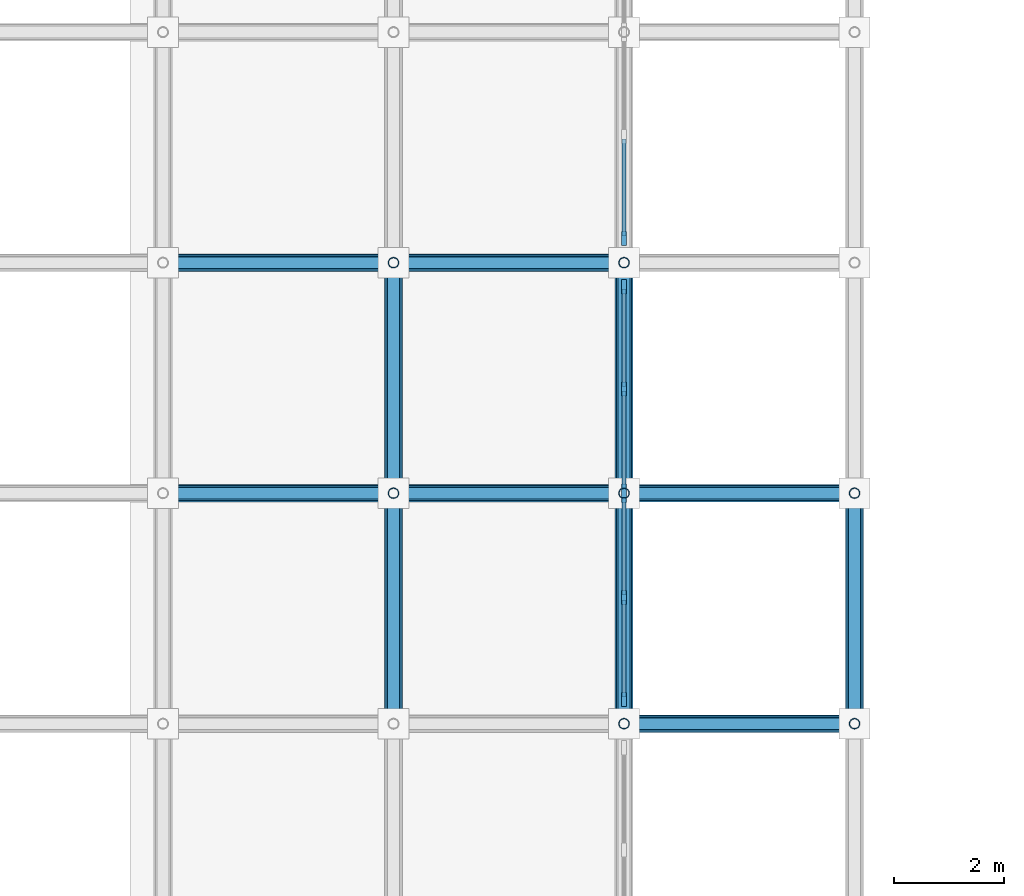
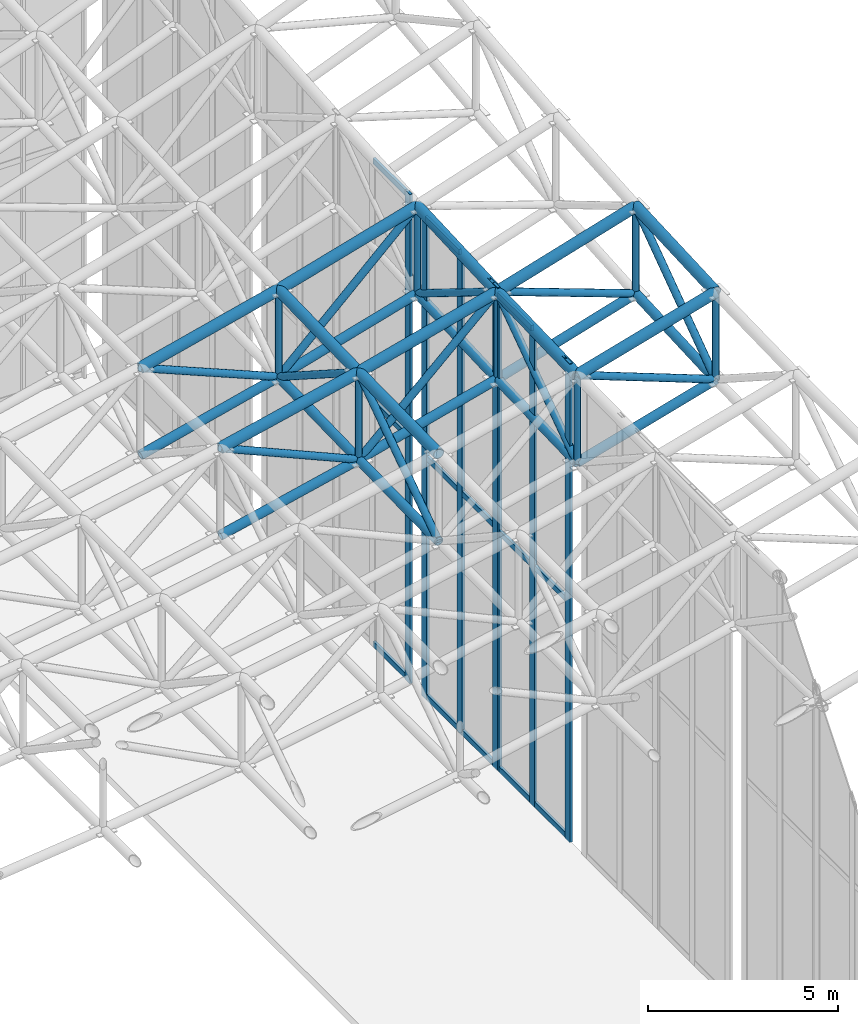
# One storey, part 43 of 93: 62 members, 3 elements without a shape of their own.
"""IFC4 building model written with IfcOpenShell, lengths in metres."""

from ifc_helpers import new_model, si_unit, direction, frame, origin, origin_2d, place, context, subcontext, project, spatial, rectangle, hollow_circle, extrude, material, material_profile, profile_set, type_object, element, aggregate, save


model = new_model("IFC4")

# Units and contexts
model_context = context("Model", 3, precision=1e-05, world=origin(), true_north=direction((0.0, 1.0)))
body_context = subcontext(model_context, "Body", "Model", "MODEL_VIEW")
ifc_project = project(units=[si_unit("LENGTHUNIT", "METRE"), si_unit("AREAUNIT", "SQUARE_METRE"), si_unit("VOLUMEUNIT", "CUBIC_METRE"), si_unit("PLANEANGLEUNIT", "RADIAN"), si_unit("MASSUNIT", "GRAM", prefix="KILO")], contexts=[model_context])

# Site, building, storey
site_placement = place(None, origin())
site = spatial("IfcSite", under=ifc_project, at=site_placement, CompositionType="ELEMENT")
building_placement = place(site_placement, origin())
building = spatial("IfcBuilding", under=site, at=building_placement, Name="Cumbredor Promenade Congress Hotel", CompositionType="ELEMENT")
storey_placement = place(building_placement, frame((0.0, 0.0, 21.840087890625)))
storey = spatial("IfcBuildingStorey", under=building, at=storey_placement, Name="L06", CompositionType="ELEMENT", Elevation=21.840087890625)

# Curtain wall, members
ifc_material_1 = material(Name="Thermally broken anodized aluminium and low-E glass", Category="aluminium")
curtain_wall_type = type_object("IfcCurtainWallType", Name="Stepped Pavilion Clerestory Curtain Wall CW-06", PredefinedType="NOTDEFINED", material=ifc_material_1)
curtain_wall_1_placement = place(storey_placement, origin())
curtain_wall_1 = element("IfcCurtainWall", 1, at=curtain_wall_1_placement, inside=storey, type_object=curtain_wall_type, Name="Plenary Congress Hall E Glazed Clerestory 9", PredefinedType="NOTDEFINED")
ifc_material_2 = material(Name="Thermally broken anodized aluminium", Category="aluminium")
ifc_material_profile_1 = material_profile(ifc_material_2, rectangle(XDim=0.0849609375, YDim=0.260009765625, at=origin_2d()), Name="ALU MULLION CLERESTORY 85x260")
ifc_profile_set_1 = profile_set([ifc_material_profile_1], Name="Thermally broken anodized aluminium")
member_type_1 = type_object("IfcMemberType", Name="Curtain Wall Mullion ML-04", PredefinedType="MULLION", material=ifc_profile_set_1)
member_1_placement = place(storey_placement, frame((67.199951171875, 42.43994140625, -0.01806640625), z_axis=(0.0, 0.0, 1.0), x_axis=(1.0, 0.0, 0.0)))
member_1 = element("IfcMember", 2, at=member_1_placement, type_object=member_type_1, Name="Plenary Congress Hall E Glazed Clerestory 9 Mullion 1", PredefinedType="MULLION", context=body_context, shape_type="SweptSolid", body=[
    extrude(rectangle(XDim=0.0849609375, YDim=0.260009765625, at=origin_2d()), origin(), (0.0, 0.0, 1.0), 15.355712890625),
])
member_2_placement = place(storey_placement, frame((67.199951171875, 44.300048828125, -0.01806640625), z_axis=(0.0, 0.0, 1.0), x_axis=(1.0, 0.0, 0.0)))
member_2 = element("IfcMember", 3, at=member_2_placement, type_object=member_type_1, Name="Plenary Congress Hall E Glazed Clerestory 9 Mullion 2", PredefinedType="MULLION", context=body_context, shape_type="SweptSolid", body=[
    extrude(rectangle(XDim=0.0849609375, YDim=0.260009765625, at=origin_2d()), origin(), (0.0, 0.0, 1.0), 15.355712890625),
])
member_3_placement = place(storey_placement, frame((67.199951171875, 46.159912109375, -0.01806640625), z_axis=(0.0, 0.0, 1.0), x_axis=(1.0, 0.0, 0.0)))
member_3 = element("IfcMember", 4, at=member_3_placement, type_object=member_type_1, Name="Plenary Congress Hall E Glazed Clerestory 9 Mullion 3", PredefinedType="MULLION", context=body_context, shape_type="SweptSolid", body=[
    extrude(rectangle(XDim=0.0849609375, YDim=0.260009765625, at=origin_2d()), origin(), (0.0, 0.0, 1.0), 15.355712890625),
])

curtain_wall_2_placement = place(storey_placement, origin())
curtain_wall_2 = element("IfcCurtainWall", 5, at=curtain_wall_2_placement, inside=storey, type_object=curtain_wall_type, Name="Plenary Congress Hall E Glazed Clerestory 10", PredefinedType="NOTDEFINED")
member_4_placement = place(storey_placement, frame((67.199951171875, 46.239990234375, -0.01806640625), z_axis=(0.0, 0.0, 1.0), x_axis=(1.0, 0.0, 0.0)))
member_4 = element("IfcMember", 6, at=member_4_placement, type_object=member_type_1, Name="Plenary Congress Hall E Glazed Clerestory 10 Mullion 1", PredefinedType="MULLION", context=body_context, shape_type="SweptSolid", body=[
    extrude(rectangle(XDim=0.0849609375, YDim=0.260009765625, at=origin_2d()), origin(), (0.0, 0.0, 1.0), 15.48779296875),
])
member_5_placement = place(storey_placement, frame((67.199951171875, 48.10009765625, -0.01806640625), z_axis=(0.0, 0.0, 1.0), x_axis=(1.0, 0.0, 0.0)))
member_5 = element("IfcMember", 7, at=member_5_placement, type_object=member_type_1, Name="Plenary Congress Hall E Glazed Clerestory 10 Mullion 2", PredefinedType="MULLION", context=body_context, shape_type="SweptSolid", body=[
    extrude(rectangle(XDim=0.0849609375, YDim=0.260009765625, at=origin_2d()), origin(), (0.0, 0.0, 1.0), 15.48779296875),
])
member_6_placement = place(storey_placement, frame((67.199951171875, 49.9599609375, -0.01806640625), z_axis=(0.0, 0.0, 1.0), x_axis=(1.0, 0.0, 0.0)))
member_6 = element("IfcMember", 8, at=member_6_placement, type_object=member_type_1, Name="Plenary Congress Hall E Glazed Clerestory 10 Mullion 3", PredefinedType="MULLION", context=body_context, shape_type="SweptSolid", body=[
    extrude(rectangle(XDim=0.0849609375, YDim=0.260009765625, at=origin_2d()), origin(), (0.0, 0.0, 1.0), 15.48779296875),
])

# Curtain wall, member
curtain_wall_3_placement = place(storey_placement, origin())
curtain_wall_3 = element("IfcCurtainWall", 9, at=curtain_wall_3_placement, inside=storey, type_object=curtain_wall_type, Name="Plenary Congress Hall E Glazed Clerestory 11", PredefinedType="NOTDEFINED")
member_7_placement = place(storey_placement, frame((67.199951171875, 50.840087890625, -0.01806640625), z_axis=(0.0, 0.0, 1.0), x_axis=(1.0, 0.0, 0.0)))
member_7 = element("IfcMember", 10, at=member_7_placement, type_object=member_type_1, Name="Plenary Congress Hall E Glazed Clerestory 11 Mullion 1", PredefinedType="MULLION", context=body_context, shape_type="SweptSolid", body=[
    extrude(rectangle(XDim=0.0849609375, YDim=0.260009765625, at=origin_2d()), origin(), (0.0, 0.0, 1.0), 15.685791015625),
])

# Member
ifc_material_profile_2 = material_profile(ifc_material_2, rectangle(XDim=0.080078125, YDim=0.179931640625, at=origin_2d()), Name="ALU TRANSOM 80x180")
ifc_profile_set_2 = profile_set([ifc_material_profile_2], Name="Thermally broken anodized aluminium")
member_type_2 = type_object("IfcMemberType", Name="Curtain Wall Transom TR-03", PredefinedType="USERDEFINED", material=ifc_profile_set_2)
member_8_placement = place(storey_placement, frame((67.199951171875, 42.482421875, 0.079833984375), z_axis=(0.0, 1.0, 0.0), x_axis=(-1.0, 0.0, 0.0)))
member_8 = element("IfcMember", 11, at=member_8_placement, type_object=member_type_2, Name="Plenary Congress Hall E Glazed Clerestory 9 Transom 1.1", ObjectType="TRANSOM", PredefinedType="USERDEFINED", context=body_context, shape_type="SweptSolid", body=[
    extrude(rectangle(XDim=0.080078125, YDim=0.179931640625, at=origin_2d()), origin(), (0.0, 0.0, 1.0), 1.775146484375),
])

member_9_placement = place(storey_placement, frame((67.199951171875, 42.482421875, 7.659912109375), z_axis=(0.0, 1.0, 0.0), x_axis=(-1.0, 0.0, 0.0)))
member_9 = element("IfcMember", 12, at=member_9_placement, type_object=member_type_2, Name="Plenary Congress Hall E Glazed Clerestory 9 Transom 1.2", ObjectType="TRANSOM", PredefinedType="USERDEFINED", context=body_context, shape_type="SweptSolid", body=[
    extrude(rectangle(XDim=0.080078125, YDim=0.179931640625, at=origin_2d()), origin(), (0.0, 0.0, 1.0), 1.775146484375),
])

member_10_placement = place(storey_placement, frame((67.199951171875, 42.482421875, 15.239990234375), z_axis=(0.0, 1.0, 0.0), x_axis=(-1.0, 0.0, 0.0)))
member_10 = element("IfcMember", 13, at=member_10_placement, type_object=member_type_2, Name="Plenary Congress Hall E Glazed Clerestory 9 Transom 1.3", ObjectType="TRANSOM", PredefinedType="USERDEFINED", context=body_context, shape_type="SweptSolid", body=[
    extrude(rectangle(XDim=0.080078125, YDim=0.179931640625, at=origin_2d()), origin(), (0.0, 0.0, 1.0), 1.775146484375),
])

member_11_placement = place(storey_placement, frame((67.199951171875, 44.342529296875, 0.079833984375), z_axis=(0.0, 1.0, 0.0), x_axis=(-1.0, 0.0, 0.0)))
member_11 = element("IfcMember", 14, at=member_11_placement, type_object=member_type_2, Name="Plenary Congress Hall E Glazed Clerestory 9 Transom 2.1", ObjectType="TRANSOM", PredefinedType="USERDEFINED", context=body_context, shape_type="SweptSolid", body=[
    extrude(rectangle(XDim=0.080078125, YDim=0.179931640625, at=origin_2d()), origin(), (0.0, 0.0, 1.0), 1.77490234375),
])

member_12_placement = place(storey_placement, frame((67.199951171875, 44.342529296875, 7.659912109375), z_axis=(0.0, 1.0, 0.0), x_axis=(-1.0, 0.0, 0.0)))
member_12 = element("IfcMember", 15, at=member_12_placement, type_object=member_type_2, Name="Plenary Congress Hall E Glazed Clerestory 9 Transom 2.2", ObjectType="TRANSOM", PredefinedType="USERDEFINED", context=body_context, shape_type="SweptSolid", body=[
    extrude(rectangle(XDim=0.080078125, YDim=0.179931640625, at=origin_2d()), origin(), (0.0, 0.0, 1.0), 1.77490234375),
])

member_13_placement = place(storey_placement, frame((67.199951171875, 44.342529296875, 15.239990234375), z_axis=(0.0, 1.0, 0.0), x_axis=(-1.0, 0.0, 0.0)))
member_13 = element("IfcMember", 16, at=member_13_placement, type_object=member_type_2, Name="Plenary Congress Hall E Glazed Clerestory 9 Transom 2.3", ObjectType="TRANSOM", PredefinedType="USERDEFINED", context=body_context, shape_type="SweptSolid", body=[
    extrude(rectangle(XDim=0.080078125, YDim=0.179931640625, at=origin_2d()), origin(), (0.0, 0.0, 1.0), 1.77490234375),
])

aggregate(curtain_wall_1, [member_1, member_2, member_3, member_8, member_9, member_10, member_11, member_12, member_13])

member_14_placement = place(storey_placement, frame((67.199951171875, 46.282470703125, 0.079833984375), z_axis=(0.0, 1.0, 0.0), x_axis=(-1.0, 0.0, 0.0)))
member_14 = element("IfcMember", 17, at=member_14_placement, type_object=member_type_2, Name="Plenary Congress Hall E Glazed Clerestory 10 Transom 1.1", ObjectType="TRANSOM", PredefinedType="USERDEFINED", context=body_context, shape_type="SweptSolid", body=[
    extrude(rectangle(XDim=0.080078125, YDim=0.179931640625, at=origin_2d()), origin(), (0.0, 0.0, 1.0), 1.775146484375),
])

member_15_placement = place(storey_placement, frame((67.199951171875, 46.282470703125, 7.72998046875), z_axis=(0.0, 1.0, 0.0), x_axis=(-1.0, 0.0, 0.0)))
member_15 = element("IfcMember", 18, at=member_15_placement, type_object=member_type_2, Name="Plenary Congress Hall E Glazed Clerestory 10 Transom 1.2", ObjectType="TRANSOM", PredefinedType="USERDEFINED", context=body_context, shape_type="SweptSolid", body=[
    extrude(rectangle(XDim=0.080078125, YDim=0.179931640625, at=origin_2d()), origin(), (0.0, 0.0, 1.0), 1.775146484375),
])

member_16_placement = place(storey_placement, frame((67.199951171875, 46.282470703125, 15.369873046875), z_axis=(0.0, 1.0, 0.0), x_axis=(-1.0, 0.0, 0.0)))
member_16 = element("IfcMember", 19, at=member_16_placement, type_object=member_type_2, Name="Plenary Congress Hall E Glazed Clerestory 10 Transom 1.3", ObjectType="TRANSOM", PredefinedType="USERDEFINED", context=body_context, shape_type="SweptSolid", body=[
    extrude(rectangle(XDim=0.080078125, YDim=0.179931640625, at=origin_2d()), origin(), (0.0, 0.0, 1.0), 1.775146484375),
])

member_17_placement = place(storey_placement, frame((67.199951171875, 48.142578125, 0.079833984375), z_axis=(0.0, 1.0, 0.0), x_axis=(-1.0, 0.0, 0.0)))
member_17 = element("IfcMember", 20, at=member_17_placement, type_object=member_type_2, Name="Plenary Congress Hall E Glazed Clerestory 10 Transom 2.1", ObjectType="TRANSOM", PredefinedType="USERDEFINED", context=body_context, shape_type="SweptSolid", body=[
    extrude(rectangle(XDim=0.080078125, YDim=0.179931640625, at=origin_2d()), origin(), (0.0, 0.0, 1.0), 1.77490234375),
])

member_18_placement = place(storey_placement, frame((67.199951171875, 48.142578125, 7.72998046875), z_axis=(0.0, 1.0, 0.0), x_axis=(-1.0, 0.0, 0.0)))
member_18 = element("IfcMember", 21, at=member_18_placement, type_object=member_type_2, Name="Plenary Congress Hall E Glazed Clerestory 10 Transom 2.2", ObjectType="TRANSOM", PredefinedType="USERDEFINED", context=body_context, shape_type="SweptSolid", body=[
    extrude(rectangle(XDim=0.080078125, YDim=0.179931640625, at=origin_2d()), origin(), (0.0, 0.0, 1.0), 1.77490234375),
])

member_19_placement = place(storey_placement, frame((67.199951171875, 48.142578125, 15.369873046875), z_axis=(0.0, 1.0, 0.0), x_axis=(-1.0, 0.0, 0.0)))
member_19 = element("IfcMember", 22, at=member_19_placement, type_object=member_type_2, Name="Plenary Congress Hall E Glazed Clerestory 10 Transom 2.3", ObjectType="TRANSOM", PredefinedType="USERDEFINED", context=body_context, shape_type="SweptSolid", body=[
    extrude(rectangle(XDim=0.080078125, YDim=0.179931640625, at=origin_2d()), origin(), (0.0, 0.0, 1.0), 1.77490234375),
])

aggregate(curtain_wall_2, [member_4, member_5, member_6, member_14, member_15, member_16, member_17, member_18, member_19])

member_20_placement = place(storey_placement, frame((67.199951171875, 50.882568359375, 0.079833984375), z_axis=(0.0, 1.0, 0.0), x_axis=(-1.0, 0.0, 0.0)))
member_20 = element("IfcMember", 23, at=member_20_placement, type_object=member_type_2, Name="Plenary Congress Hall E Glazed Clerestory 11 Transom 1.1", ObjectType="TRANSOM", PredefinedType="USERDEFINED", context=body_context, shape_type="SweptSolid", body=[
    extrude(rectangle(XDim=0.080078125, YDim=0.179931640625, at=origin_2d()), origin(), (0.0, 0.0, 1.0), 1.77490234375),
])

member_21_placement = place(storey_placement, frame((67.199951171875, 50.882568359375, 7.81982421875), z_axis=(0.0, 1.0, 0.0), x_axis=(-1.0, 0.0, 0.0)))
member_21 = element("IfcMember", 24, at=member_21_placement, type_object=member_type_2, Name="Plenary Congress Hall E Glazed Clerestory 11 Transom 1.2", ObjectType="TRANSOM", PredefinedType="USERDEFINED", context=body_context, shape_type="SweptSolid", body=[
    extrude(rectangle(XDim=0.080078125, YDim=0.179931640625, at=origin_2d()), origin(), (0.0, 0.0, 1.0), 1.77490234375),
])

member_22_placement = place(storey_placement, frame((67.199951171875, 50.882568359375, 15.56982421875), z_axis=(0.0, 1.0, 0.0), x_axis=(-1.0, 0.0, 0.0)))
member_22 = element("IfcMember", 25, at=member_22_placement, type_object=member_type_2, Name="Plenary Congress Hall E Glazed Clerestory 11 Transom 1.3", ObjectType="TRANSOM", PredefinedType="USERDEFINED", context=body_context, shape_type="SweptSolid", body=[
    extrude(rectangle(XDim=0.080078125, YDim=0.179931640625, at=origin_2d()), origin(), (0.0, 0.0, 1.0), 1.77490234375),
])

aggregate(curtain_wall_3, [member_7, member_20, member_21, member_22])

# Members
ifc_material_3 = material(Name="Steel ASTM A500 Grade C", Category="steel")
ifc_material_profile_3 = material_profile(ifc_material_3, hollow_circle(Radius=0.136474609375, WallThickness=0.01611328125, at=origin_2d()), Name="CHS 273.0x16")
ifc_profile_set_3 = profile_set([ifc_material_profile_3], Name="Steel ASTM A500 Grade C")
member_type_3 = type_object("IfcMemberType", Name="Plenary Roof Space Frame Bottom Chord", PredefinedType="CHORD", material=ifc_profile_set_3)
member_23_placement = place(storey_placement, frame((67.199951171875, 42.0, 12.349609375), z_axis=(0.961806149234, 0.0, 0.273731494893), x_axis=(0.0, 1.0, 0.0)))
element("IfcMember", 26, at=member_23_placement, inside=storey, type_object=member_type_3, Name="Plenary Congress Hall X Bottom Chord 18.11", PredefinedType="CHORD", context=body_context, shape_type="SweptSolid", body=[
    extrude(hollow_circle(Radius=0.136474609375, WallThickness=0.01611328125, at=origin_2d()), origin(), (0.0, 0.0, 1.0), 4.36669921875),
])
member_24_placement = place(storey_placement, frame((58.800048828125, 46.199951171875, 10.40380859375), z_axis=(0.974613195846, 0.0, 0.223895329302), x_axis=(0.0, 1.0, 0.0)))
element("IfcMember", 27, at=member_24_placement, inside=storey, type_object=member_type_3, Name="Plenary Congress Hall X Bottom Chord 16.12", PredefinedType="CHORD", context=body_context, shape_type="SweptSolid", body=[
    extrude(hollow_circle(Radius=0.136474609375, WallThickness=0.01611328125, at=origin_2d()), origin(), (0.0, 0.0, 1.0), 4.309326171875),
])
member_25_placement = place(storey_placement, frame((63.0, 46.199951171875, 11.36865234375), z_axis=(0.966632009947, 0.0, 0.256169001532), x_axis=(0.0, 1.0, 0.0)))
element("IfcMember", 28, at=member_25_placement, inside=storey, type_object=member_type_3, Name="Plenary Congress Hall X Bottom Chord 17.12", PredefinedType="CHORD", context=body_context, shape_type="SweptSolid", body=[
    extrude(hollow_circle(Radius=0.136474609375, WallThickness=0.01611328125, at=origin_2d()), origin(), (0.0, 0.0, 1.0), 4.344970703125),
])
member_26_placement = place(storey_placement, frame((67.199951171875, 46.199951171875, 12.481689453125), z_axis=(0.957410180843, 0.0, 0.288731268861), x_axis=(0.0, 1.0, 0.0)))
element("IfcMember", 29, at=member_26_placement, inside=storey, type_object=member_type_3, Name="Plenary Congress Hall X Bottom Chord 18.12", PredefinedType="CHORD", context=body_context, shape_type="SweptSolid", body=[
    extrude(hollow_circle(Radius=0.136474609375, WallThickness=0.01611328125, at=origin_2d()), origin(), (0.0, 0.0, 1.0), 4.38671875),
])
member_27_placement = place(storey_placement, frame((58.800048828125, 50.39990234375, 10.427978515625), z_axis=(0.970390849303, 0.0, 0.241540057938), x_axis=(0.0, 1.0, 0.0)))
element("IfcMember", 30, at=member_27_placement, inside=storey, type_object=member_type_3, Name="Plenary Congress Hall X Bottom Chord 16.13", PredefinedType="CHORD", context=body_context, shape_type="SweptSolid", body=[
    extrude(hollow_circle(Radius=0.136474609375, WallThickness=0.01611328125, at=origin_2d()), origin(), (0.0, 0.0, 1.0), 4.328125),
])
member_28_placement = place(storey_placement, frame((63.0, 50.39990234375, 11.473388671875), z_axis=(0.961141413471, 0.0, 0.276056485727), x_axis=(0.0, 1.0, 0.0)))
element("IfcMember", 31, at=member_28_placement, inside=storey, type_object=member_type_3, Name="Plenary Congress Hall X Bottom Chord 17.13", PredefinedType="CHORD", context=body_context, shape_type="SweptSolid", body=[
    extrude(hollow_circle(Radius=0.136474609375, WallThickness=0.01611328125, at=origin_2d()), origin(), (0.0, 0.0, 1.0), 4.369873046875),
])
member_29_placement = place(storey_placement, frame((63.0, 42.0, 11.298583984375), z_axis=(0.0, 0.999860865519, 0.016680815463), x_axis=(-1.0, 0.0, 0.0)))
element("IfcMember", 32, at=member_29_placement, inside=storey, type_object=member_type_3, Name="Plenary Congress Hall Y Bottom Chord 17.11", PredefinedType="CHORD", context=body_context, shape_type="SweptSolid", body=[
    extrude(hollow_circle(Radius=0.136474609375, WallThickness=0.01611328125, at=origin_2d()), origin(), (0.0, 0.0, 1.0), 4.200439453125),
])
member_30_placement = place(storey_placement, frame((63.0, 46.199951171875, 11.36865234375), z_axis=(0.0, 0.999689205225, 0.024929760451), x_axis=(-1.0, 0.0, 0.0)))
element("IfcMember", 33, at=member_30_placement, inside=storey, type_object=member_type_3, Name="Plenary Congress Hall Y Bottom Chord 17.12", PredefinedType="CHORD", context=body_context, shape_type="SweptSolid", body=[
    extrude(hollow_circle(Radius=0.136474609375, WallThickness=0.01611328125, at=origin_2d()), origin(), (0.0, 0.0, 1.0), 4.201171875),
])
member_31_placement = place(storey_placement, frame((67.199951171875, 42.0, 12.349609375), z_axis=(0.0, 0.999505878022, 0.031432464106), x_axis=(-1.0, 0.0, 0.0)))
element("IfcMember", 34, at=member_31_placement, inside=storey, type_object=member_type_3, Name="Plenary Congress Hall Y Bottom Chord 18.11", PredefinedType="CHORD", context=body_context, shape_type="SweptSolid", body=[
    extrude(hollow_circle(Radius=0.136474609375, WallThickness=0.01611328125, at=origin_2d()), origin(), (0.0, 0.0, 1.0), 4.2021484375),
])
member_32_placement = place(storey_placement, frame((67.199951171875, 46.199951171875, 12.481689453125), z_axis=(0.0, 0.998890620414, 0.047090640769), x_axis=(-1.0, 0.0, 0.0)))
element("IfcMember", 35, at=member_32_placement, inside=storey, type_object=member_type_3, Name="Plenary Congress Hall Y Bottom Chord 18.12", PredefinedType="CHORD", context=body_context, shape_type="SweptSolid", body=[
    extrude(hollow_circle(Radius=0.136474609375, WallThickness=0.01611328125, at=origin_2d()), origin(), (0.0, 0.0, 1.0), 4.20458984375),
])
member_33_placement = place(storey_placement, frame((71.39990234375, 42.0, 13.544921875), z_axis=(0.0, 0.99882972281, 0.048365119985), x_axis=(-1.0, 0.0, 0.0)))
element("IfcMember", 36, at=member_33_placement, inside=storey, type_object=member_type_3, Name="Plenary Congress Hall Y Bottom Chord 19.11", PredefinedType="CHORD", context=body_context, shape_type="SweptSolid", body=[
    extrude(hollow_circle(Radius=0.136474609375, WallThickness=0.01611328125, at=origin_2d()), origin(), (0.0, 0.0, 1.0), 4.204833984375),
])
ifc_material_profile_4 = material_profile(ifc_material_3, hollow_circle(Radius=0.161865234375, WallThickness=0.01611328125, at=origin_2d()), Name="CHS 323.9x16")
ifc_profile_set_4 = profile_set([ifc_material_profile_4], Name="Steel ASTM A500 Grade C")
member_type_4 = type_object("IfcMemberType", Name="Plenary Roof Space Frame Top Chord", PredefinedType="CHORD", material=ifc_profile_set_4)
member_34_placement = place(storey_placement, frame((67.199951171875, 42.0, 15.149658203125), z_axis=(0.961806149234, 0.0, 0.273731494893), x_axis=(0.0, 1.0, 0.0)))
element("IfcMember", 37, at=member_34_placement, inside=storey, type_object=member_type_4, Name="Plenary Congress Hall X Top Chord 18.11", PredefinedType="CHORD", context=body_context, shape_type="SweptSolid", body=[
    extrude(hollow_circle(Radius=0.161865234375, WallThickness=0.01611328125, at=origin_2d()), origin(), (0.0, 0.0, 1.0), 4.36669921875),
])
member_35_placement = place(storey_placement, frame((58.800048828125, 46.199951171875, 13.20361328125), z_axis=(0.974600832042, 0.0, 0.223949141956), x_axis=(0.0, 1.0, 0.0)))
element("IfcMember", 38, at=member_35_placement, inside=storey, type_object=member_type_4, Name="Plenary Congress Hall X Top Chord 16.12", PredefinedType="CHORD", context=body_context, shape_type="SweptSolid", body=[
    extrude(hollow_circle(Radius=0.161865234375, WallThickness=0.01611328125, at=origin_2d()), origin(), (0.0, 0.0, 1.0), 4.309326171875),
])
member_36_placement = place(storey_placement, frame((63.0, 46.199951171875, 14.168701171875), z_axis=(0.966645922489, 0.0, 0.256116497977), x_axis=(0.0, 1.0, 0.0)))
element("IfcMember", 39, at=member_36_placement, inside=storey, type_object=member_type_4, Name="Plenary Congress Hall X Top Chord 17.12", PredefinedType="CHORD", context=body_context, shape_type="SweptSolid", body=[
    extrude(hollow_circle(Radius=0.161865234375, WallThickness=0.01611328125, at=origin_2d()), origin(), (0.0, 0.0, 1.0), 4.344970703125),
])
member_37_placement = place(storey_placement, frame((67.199951171875, 46.199951171875, 15.281494140625), z_axis=(0.957394795149, 0.0, 0.288782281697), x_axis=(0.0, 1.0, 0.0)))
element("IfcMember", 40, at=member_37_placement, inside=storey, type_object=member_type_4, Name="Plenary Congress Hall X Top Chord 18.12", PredefinedType="CHORD", context=body_context, shape_type="SweptSolid", body=[
    extrude(hollow_circle(Radius=0.161865234375, WallThickness=0.01611328125, at=origin_2d()), origin(), (0.0, 0.0, 1.0), 4.386962890625),
])
member_38_placement = place(storey_placement, frame((58.800048828125, 50.39990234375, 13.22802734375), z_axis=(0.970390849303, 0.0, 0.241540057938), x_axis=(0.0, 1.0, 0.0)))
element("IfcMember", 41, at=member_38_placement, inside=storey, type_object=member_type_4, Name="Plenary Congress Hall X Top Chord 16.13", PredefinedType="CHORD", context=body_context, shape_type="SweptSolid", body=[
    extrude(hollow_circle(Radius=0.161865234375, WallThickness=0.01611328125, at=origin_2d()), origin(), (0.0, 0.0, 1.0), 4.328125),
])
member_39_placement = place(storey_placement, frame((63.0, 50.39990234375, 14.2734375), z_axis=(0.961156236414, 0.0, 0.276004871702), x_axis=(0.0, 1.0, 0.0)))
element("IfcMember", 42, at=member_39_placement, inside=storey, type_object=member_type_4, Name="Plenary Congress Hall X Top Chord 17.13", PredefinedType="CHORD", context=body_context, shape_type="SweptSolid", body=[
    extrude(hollow_circle(Radius=0.161865234375, WallThickness=0.01611328125, at=origin_2d()), origin(), (0.0, 0.0, 1.0), 4.36962890625),
])
member_40_placement = place(storey_placement, frame((63.0, 42.0, 14.0986328125), z_axis=(0.0, 0.999860865519, 0.016680815463), x_axis=(-1.0, 0.0, 0.0)))
element("IfcMember", 43, at=member_40_placement, inside=storey, type_object=member_type_4, Name="Plenary Congress Hall Y Top Chord 17.11", PredefinedType="CHORD", context=body_context, shape_type="SweptSolid", body=[
    extrude(hollow_circle(Radius=0.161865234375, WallThickness=0.01611328125, at=origin_2d()), origin(), (0.0, 0.0, 1.0), 4.200439453125),
])
member_41_placement = place(storey_placement, frame((63.0, 46.199951171875, 14.168701171875), z_axis=(0.0, 0.999689205225, 0.024929760451), x_axis=(-1.0, 0.0, 0.0)))
element("IfcMember", 44, at=member_41_placement, inside=storey, type_object=member_type_4, Name="Plenary Congress Hall Y Top Chord 17.12", PredefinedType="CHORD", context=body_context, shape_type="SweptSolid", body=[
    extrude(hollow_circle(Radius=0.161865234375, WallThickness=0.01611328125, at=origin_2d()), origin(), (0.0, 0.0, 1.0), 4.201171875),
])
member_42_placement = place(storey_placement, frame((67.199951171875, 42.0, 15.149658203125), z_axis=(0.0, 0.999507701685, 0.031374420677), x_axis=(-1.0, 0.0, 0.0)))
element("IfcMember", 45, at=member_42_placement, inside=storey, type_object=member_type_4, Name="Plenary Congress Hall Y Top Chord 18.11", PredefinedType="CHORD", context=body_context, shape_type="SweptSolid", body=[
    extrude(hollow_circle(Radius=0.161865234375, WallThickness=0.01611328125, at=origin_2d()), origin(), (0.0, 0.0, 1.0), 4.201904296875),
])
member_43_placement = place(storey_placement, frame((67.199951171875, 46.199951171875, 15.281494140625), z_axis=(0.0, 0.998890620414, 0.047090640769), x_axis=(-1.0, 0.0, 0.0)))
element("IfcMember", 46, at=member_43_placement, inside=storey, type_object=member_type_4, Name="Plenary Congress Hall Y Top Chord 18.12", PredefinedType="CHORD", context=body_context, shape_type="SweptSolid", body=[
    extrude(hollow_circle(Radius=0.161865234375, WallThickness=0.01611328125, at=origin_2d()), origin(), (0.0, 0.0, 1.0), 4.20458984375),
])
member_44_placement = place(storey_placement, frame((71.39990234375, 42.0, 16.344970703125), z_axis=(0.0, 0.99882972281, 0.048365119985), x_axis=(-1.0, 0.0, 0.0)))
element("IfcMember", 47, at=member_44_placement, inside=storey, type_object=member_type_4, Name="Plenary Congress Hall Y Top Chord 19.11", PredefinedType="CHORD", context=body_context, shape_type="SweptSolid", body=[
    extrude(hollow_circle(Radius=0.161865234375, WallThickness=0.01611328125, at=origin_2d()), origin(), (0.0, 0.0, 1.0), 4.204833984375),
])
ifc_material_profile_5 = material_profile(ifc_material_3, hollow_circle(Radius=0.109619140625, WallThickness=0.012451171875, at=origin_2d()), Name="CHS 219.1x12.5")
ifc_profile_set_5 = profile_set([ifc_material_profile_5], Name="Steel ASTM A500 Grade C")
member_type_5 = type_object("IfcMemberType", Name="Space Frame Web Diagonal D1", PredefinedType="BRACE", material=ifc_profile_set_5)
member_45_placement = place(storey_placement, frame((67.199951171875, 42.0, 15.149658203125), z_axis=(0.934135452848, 0.0, -0.356918696249), x_axis=(0.0, 1.0, 0.0)))
element("IfcMember", 48, at=member_45_placement, inside=storey, type_object=member_type_5, Name="Plenary Congress Hall X Web Diagonal 18.11", PredefinedType="BRACE", context=body_context, shape_type="SweptSolid", body=[
    extrude(hollow_circle(Radius=0.109619140625, WallThickness=0.012451171875, at=origin_2d()), origin(), (0.0, 0.0, 1.0), 4.49609375),
])
member_46_placement = place(storey_placement, frame((58.800048828125, 46.199951171875, 13.20361328125), z_axis=(0.916358936382, 0.0, -0.400357714692), x_axis=(0.0, 1.0, 0.0)))
element("IfcMember", 49, at=member_46_placement, inside=storey, type_object=member_type_5, Name="Plenary Congress Hall X Web Diagonal 16.12", PredefinedType="BRACE", context=body_context, shape_type="SweptSolid", body=[
    extrude(hollow_circle(Radius=0.109619140625, WallThickness=0.012451171875, at=origin_2d()), origin(), (0.0, 0.0, 1.0), 4.583251953125),
])
member_47_placement = place(storey_placement, frame((63.0, 46.199951171875, 11.36865234375), z_axis=(0.731673041976, 0.0, 0.681655748634), x_axis=(0.0, 1.0, 0.0)))
element("IfcMember", 50, at=member_47_placement, inside=storey, type_object=member_type_5, Name="Plenary Congress Hall X Web Diagonal 17.12", PredefinedType="BRACE", context=body_context, shape_type="SweptSolid", body=[
    extrude(hollow_circle(Radius=0.109619140625, WallThickness=0.012451171875, at=origin_2d()), origin(), (0.0, 0.0, 1.0), 5.740234375),
])
member_48_placement = place(storey_placement, frame((67.199951171875, 46.199951171875, 15.281494140625), z_axis=(0.939365416794, 0.0, -0.342917794423), x_axis=(0.0, 1.0, 0.0)))
element("IfcMember", 51, at=member_48_placement, inside=storey, type_object=member_type_5, Name="Plenary Congress Hall X Web Diagonal 18.12", PredefinedType="BRACE", context=body_context, shape_type="SweptSolid", body=[
    extrude(hollow_circle(Radius=0.109619140625, WallThickness=0.012451171875, at=origin_2d()), origin(), (0.0, 0.0, 1.0), 4.470947265625),
])
member_49_placement = place(storey_placement, frame((58.800048828125, 50.39990234375, 13.22802734375), z_axis=(0.922713114101, 0.0, -0.385487365637), x_axis=(0.0, 1.0, 0.0)))
element("IfcMember", 52, at=member_49_placement, inside=storey, type_object=member_type_5, Name="Plenary Congress Hall X Web Diagonal 16.13", PredefinedType="BRACE", context=body_context, shape_type="SweptSolid", body=[
    extrude(hollow_circle(Radius=0.109619140625, WallThickness=0.012451171875, at=origin_2d()), origin(), (0.0, 0.0, 1.0), 4.5517578125),
])
member_50_placement = place(storey_placement, frame((63.0, 50.39990234375, 11.473388671875), z_axis=(0.723608555233, 0.0, 0.690210590177), x_axis=(0.0, 1.0, 0.0)))
element("IfcMember", 53, at=member_50_placement, inside=storey, type_object=member_type_5, Name="Plenary Congress Hall X Web Diagonal 17.13", PredefinedType="BRACE", context=body_context, shape_type="SweptSolid", body=[
    extrude(hollow_circle(Radius=0.109619140625, WallThickness=0.012451171875, at=origin_2d()), origin(), (0.0, 0.0, 1.0), 5.80419921875),
])
member_51_placement = place(storey_placement, frame((63.0, 42.0, 11.298583984375), z_axis=(0.0, 0.825630854846, 0.564210680089), x_axis=(-1.0, 0.0, 0.0)))
element("IfcMember", 54, at=member_51_placement, inside=storey, type_object=member_type_5, Name="Plenary Congress Hall Y Web Diagonal 17.11", PredefinedType="BRACE", context=body_context, shape_type="SweptSolid", body=[
    extrude(hollow_circle(Radius=0.109619140625, WallThickness=0.012451171875, at=origin_2d()), origin(), (0.0, 0.0, 1.0), 5.0869140625),
])
member_52_placement = place(storey_placement, frame((63.0, 46.199951171875, 14.168701171875), z_axis=(0.0, 0.841602617793, -0.540097244692), x_axis=(-1.0, 0.0, 0.0)))
element("IfcMember", 55, at=member_52_placement, inside=storey, type_object=member_type_5, Name="Plenary Congress Hall Y Web Diagonal 17.12", PredefinedType="BRACE", context=body_context, shape_type="SweptSolid", body=[
    extrude(hollow_circle(Radius=0.109619140625, WallThickness=0.012451171875, at=origin_2d()), origin(), (0.0, 0.0, 1.0), 4.990478515625),
])
member_53_placement = place(storey_placement, frame((67.199951171875, 42.0, 12.349609375), z_axis=(0.0, 0.819972435242, 0.572403009639), x_axis=(-1.0, 0.0, 0.0)))
element("IfcMember", 56, at=member_53_placement, inside=storey, type_object=member_type_5, Name="Plenary Congress Hall Y Web Diagonal 18.11", PredefinedType="BRACE", context=body_context, shape_type="SweptSolid", body=[
    extrude(hollow_circle(Radius=0.109619140625, WallThickness=0.012451171875, at=origin_2d()), origin(), (0.0, 0.0, 1.0), 5.1220703125),
])
member_54_placement = place(storey_placement, frame((67.199951171875, 46.199951171875, 15.281494140625), z_axis=(0.0, 0.850098710926, -0.526623377454), x_axis=(-1.0, 0.0, 0.0)))
element("IfcMember", 57, at=member_54_placement, inside=storey, type_object=member_type_5, Name="Plenary Congress Hall Y Web Diagonal 18.12", PredefinedType="BRACE", context=body_context, shape_type="SweptSolid", body=[
    extrude(hollow_circle(Radius=0.109619140625, WallThickness=0.012451171875, at=origin_2d()), origin(), (0.0, 0.0, 1.0), 4.9404296875),
])
member_55_placement = place(storey_placement, frame((71.39990234375, 42.0, 13.544921875), z_axis=(0.0, 0.813417062835, 0.581680910713), x_axis=(-1.0, 0.0, 0.0)))
element("IfcMember", 58, at=member_55_placement, inside=storey, type_object=member_type_5, Name="Plenary Congress Hall Y Web Diagonal 19.11", PredefinedType="BRACE", context=body_context, shape_type="SweptSolid", body=[
    extrude(hollow_circle(Radius=0.109619140625, WallThickness=0.012451171875, at=origin_2d()), origin(), (0.0, 0.0, 1.0), 5.163330078125),
])
ifc_material_profile_6 = material_profile(ifc_material_3, hollow_circle(Radius=0.096923828125, WallThickness=0.010009765625, at=origin_2d()), Name="CHS 193.7x10")
ifc_profile_set_6 = profile_set([ifc_material_profile_6], Name="Steel ASTM A500 Grade C")
member_type_6 = type_object("IfcMemberType", Name="Space Frame Web Post P1", PredefinedType="BRACE", material=ifc_profile_set_6)
for number, where, z_axis, x_axis, name in (
    (59, (63.0, 46.199951171875, 11.36865234375), (0.0, 0.0, 1.0), (1.0, 0.0, 0.0), "Plenary Congress Hall Space Frame Web Post 17.12"),
    (60, (63.0, 50.39990234375, 11.473388671875), (0.0, 0.0, 1.0), (1.0, 0.0, 0.0), "Plenary Congress Hall Space Frame Web Post 17.13"),
    (61, (67.199951171875, 42.0, 12.349609375), (0.0, 0.0, 1.0), (1.0, 0.0, 0.0), "Plenary Congress Hall Space Frame Web Post 18.11"),
):
    element("IfcMember", number, at=place(storey_placement, frame(where, z_axis=z_axis, x_axis=x_axis)), inside=storey, type_object=member_type_6, Name=name, PredefinedType="BRACE", context=body_context, shape_type="SweptSolid", body=[
        extrude(hollow_circle(Radius=0.096923828125, WallThickness=0.010009765625, at=origin_2d()), origin(), (0.0, 0.0, 1.0), 2.800048828125),
    ])
for number, where, z_axis, x_axis, name in (
    (62, (67.199951171875, 46.199951171875, 12.481689453125), (0.0, 0.0, 1.0), (1.0, 0.0, 0.0), "Plenary Congress Hall Space Frame Web Post 18.12"),
    (63, (67.199951171875, 50.39990234375, 12.6796875), (0.0, 0.0, 1.0), (1.0, 0.0, 0.0), "Plenary Congress Hall Space Frame Web Post 18.13"),
):
    element("IfcMember", number, at=place(storey_placement, frame(where, z_axis=z_axis, x_axis=x_axis)), inside=storey, type_object=member_type_6, Name=name, PredefinedType="BRACE", context=body_context, shape_type="SweptSolid", body=[
        extrude(hollow_circle(Radius=0.096923828125, WallThickness=0.010009765625, at=origin_2d()), origin(), (0.0, 0.0, 1.0), 2.7998046875),
    ])
for number, where, z_axis, x_axis, name in (
    (64, (71.39990234375, 42.0, 13.544921875), (0.0, 0.0, 1.0), (1.0, 0.0, 0.0), "Plenary Congress Hall Space Frame Web Post 19.11"),
    (65, (71.39990234375, 46.199951171875, 13.748291015625), (0.0, 0.0, 1.0), (1.0, 0.0, 0.0), "Plenary Congress Hall Space Frame Web Post 19.12"),
):
    element("IfcMember", number, at=place(storey_placement, frame(where, z_axis=z_axis, x_axis=x_axis)), inside=storey, type_object=member_type_6, Name=name, PredefinedType="BRACE", context=body_context, shape_type="SweptSolid", body=[
        extrude(hollow_circle(Radius=0.096923828125, WallThickness=0.010009765625, at=origin_2d()), origin(), (0.0, 0.0, 1.0), 2.800048828125),
    ])

save(model, "model.ifc")
